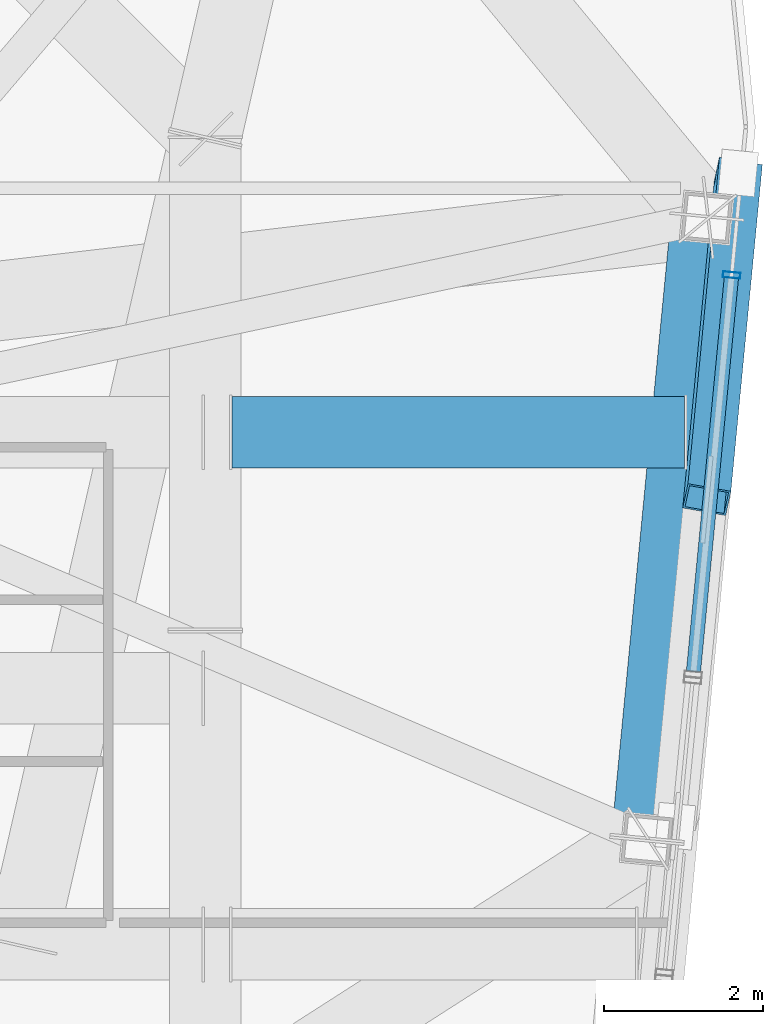
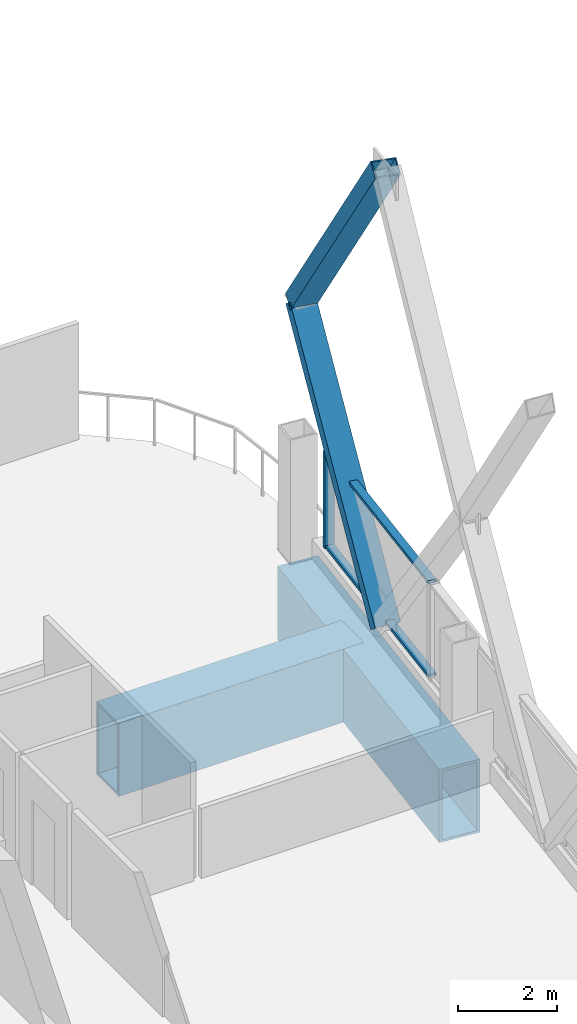
# One storey, part 18 of 31: 5 members, 2 beams, 1 element without a shape of its own.
"""IFC4 building model written with IfcOpenShell, lengths in metres."""

from ifc_helpers import new_model, si_unit, direction, frame, origin, origin_2d, place, context, subcontext, project, spatial, hollow_rectangle, extrude, material, layer, layer_set, material_profile, profile_set, type_object, element, aggregate, save


model = new_model("IFC4")

# Units and contexts
model_context = context("Model", 3, precision=1e-05, world=origin(), true_north=direction((0.0, 1.0)))
body_context = subcontext(model_context, "Body", "Model", "MODEL_VIEW")
ifc_project = project(units=[si_unit("LENGTHUNIT", "METRE"), si_unit("AREAUNIT", "SQUARE_METRE"), si_unit("VOLUMEUNIT", "CUBIC_METRE"), si_unit("PLANEANGLEUNIT", "RADIAN"), si_unit("MASSUNIT", "GRAM", prefix="KILO")], contexts=[model_context])

# Site, building, storey
site_placement = place(None, origin())
site = spatial("IfcSite", under=ifc_project, at=site_placement, CompositionType="ELEMENT")
building_placement = place(site_placement, origin())
building = spatial("IfcBuilding", under=site, at=building_placement, Name="Qhalaya Broadcast Tower", CompositionType="ELEMENT")
storey_placement = place(building_placement, frame((0.0, 0.0, 242.85009765625)))
storey = spatial("IfcBuildingStorey", under=building, at=storey_placement, Name="L71", CompositionType="ELEMENT", Elevation=242.85009765625)

# Beams
ifc_material_1 = material(Name="Structural Steel ASTM A572 Grade 50", Category="steel")
ifc_material_profile_1 = material_profile(ifc_material_1, hollow_rectangle(XDim=0.89990234375, YDim=1.800048828125, WallThickness=0.06005859375, at=origin_2d()), Name="BOX 900x1800x60")
ifc_profile_set_1 = profile_set([ifc_material_profile_1], Name="Structural Steel ASTM A572 Grade 50")
beam_type = type_object("IfcBeamType", Name="Block Cantilever Transfer Box Girder TG1", PredefinedType="USERDEFINED", material=ifc_profile_set_1)
beam_1_placement = place(storey_placement, frame((21.33642578125, -1.302001953125, -1.090087890625), z_axis=(0.095837184179, 0.995397023367, 0.0), x_axis=(-0.995397023367, 0.095837184179, 0.0)))
element("IfcBeam", 1, at=beam_1_placement, inside=storey, type_object=beam_type, Name="L71 TG1 L71-SPR-07", ObjectType="GIRDER", PredefinedType="USERDEFINED", context=body_context, shape_type="SweptSolid", body=[
    extrude(hollow_rectangle(XDim=0.89990234375, YDim=1.800048828125, WallThickness=0.06005859375, at=origin_2d()), origin(), (0.0, 0.0, 1.0), 7.866455078125),
])
beam_2_placement = place(storey_placement, frame((16.110107421875, 3.824951171875, -1.090087890625), z_axis=(1.0, 0.0, 0.0), x_axis=(0.0, 1.0, 0.0)))
element("IfcBeam", 2, at=beam_2_placement, inside=storey, type_object=beam_type, Name="L71 TG1 L71-PGYE3-OV1", ObjectType="GIRDER", PredefinedType="USERDEFINED", context=body_context, shape_type="SweptSolid", body=[
    extrude(hollow_rectangle(XDim=0.89990234375, YDim=1.800048828125, WallThickness=0.06005859375, at=origin_2d()), origin(), (0.0, 0.0, 1.0), 5.699951171875),
])

# Members
ifc_material_profile_2 = material_profile(ifc_material_1, hollow_rectangle(XDim=0.3798828125, YDim=0.550048828125, WallThickness=0.02490234375, at=origin_2d()), Name="BOX 380x550x25")
ifc_profile_set_2 = profile_set([ifc_material_profile_2], Name="Structural Steel ASTM A572 Grade 50")
member_type_1 = type_object("IfcMemberType", Name="Exoskeleton Diamond Diagonal Upper EX4", PredefinedType="BRACE", material=ifc_profile_set_2)
member_1_placement = place(storey_placement, frame((22.090087890625, 2.978759765625, 0.35986328125), z_axis=(0.058301925892, 0.605362942159, 0.793811434597), x_axis=(-0.171153078973, -0.777329359739, 0.60536409709)))
element("IfcMember", 3, at=member_1_placement, inside=storey, type_object=member_type_1, Name="B6 Exoskeleton Diamond Brace E3-D2", PredefinedType="BRACE", context=body_context, shape_type="SweptSolid", body=[
    extrude(hollow_rectangle(XDim=0.3798828125, YDim=0.550048828125, WallThickness=0.02490234375, at=origin_2d()), origin(), (0.0, 0.0, 1.0), 6.79638671875),
])
member_2_placement = place(storey_placement, frame((22.486328125, 7.093017578125, 5.7548828125), z_axis=(-0.055161336321, -0.572753444041, 0.817869622443), x_axis=(0.17344881055, 0.801166493771, 0.572754536758)))
element("IfcMember", 4, at=member_2_placement, inside=storey, type_object=member_type_1, Name="B6 Exoskeleton Diamond Brace E3-D4", PredefinedType="BRACE", context=body_context, shape_type="SweptSolid", body=[
    extrude(hollow_rectangle(XDim=0.3798828125, YDim=0.550048828125, WallThickness=0.02490234375, at=origin_2d()), origin(), (0.0, 0.0, 1.0), 7.183349609375),
])

# Curtain wall, members
ifc_material_2 = material(Name="Fired Architectural Terracotta", Category="masonry")
ifc_layer = layer(ifc_material_2, 0.219970703125, Name="Fired Architectural Terracotta")
ifc_layer_set = layer_set([ifc_layer], Name="Fired Architectural Terracotta")
curtain_wall_type = type_object("IfcCurtainWallType", Name="Block-Cap Unitised Terracotta Spandrel Wall CW-07", PredefinedType="NOTDEFINED", material=ifc_layer_set)
curtain_wall_placement = place(storey_placement, origin())
curtain_wall = element("IfcCurtainWall", 5, at=curtain_wall_placement, inside=storey, type_object=curtain_wall_type, Name="L71 Unitised Curtain Wall L71-CW-E5", PredefinedType="NOTDEFINED")
ifc_material_3 = material(Name="Anodised Aluminium 6063-T6", Category="aluminium")
ifc_material_profile_3 = material_profile(ifc_material_3, hollow_rectangle(XDim=0.074951171875, YDim=0.219970703125, WallThickness=0.00390625, at=origin_2d()), Name="ALU-MUL 75x220x4")
ifc_profile_set_3 = profile_set([ifc_material_profile_3], Name="Anodised Aluminium 6063-T6")
member_type_2 = type_object("IfcMemberType", Name="Unitised Curtain-Wall Mullion M01", PredefinedType="MULLION", material=ifc_profile_set_3)
member_3_placement = place(storey_placement, frame((22.40283203125, 5.8076171875, 0.47998046875), z_axis=(0.0, 0.0, 1.0), x_axis=(0.095847607498, 0.995396019751, 0.0)))
member_3 = element("IfcMember", 6, at=member_3_placement, type_object=member_type_2, Name="CW-07 mullion 2", PredefinedType="MULLION", context=body_context, shape_type="SweptSolid", body=[
    extrude(hollow_rectangle(XDim=0.074951171875, YDim=0.219970703125, WallThickness=0.00390625, at=origin_2d()), origin(), (0.0, 0.0, 1.0), 2.3798828125),
])
ifc_material_profile_4 = material_profile(ifc_material_3, hollow_rectangle(XDim=0.074951171875, YDim=0.179931640625, WallThickness=0.00390625, at=origin_2d()), Name="ALU-TRN 75x180x4")
ifc_profile_set_4 = profile_set([ifc_material_profile_4], Name="Anodised Aluminium 6063-T6")
member_type_3 = type_object("IfcMemberType", Name="Unitised Curtain-Wall Transom T01", PredefinedType="USERDEFINED", material=ifc_profile_set_4)
member_4_placement = place(storey_placement, frame((21.921875, 0.813232421875, 0.517333984375), z_axis=(0.095843186117, 0.99539644548, 0.0), x_axis=(0.0, 0.0, 1.0)))
member_4 = element("IfcMember", 7, at=member_4_placement, type_object=member_type_3, Name="CW-07 transom 1.1", ObjectType="TRANSOM", PredefinedType="USERDEFINED", context=body_context, shape_type="SweptSolid", body=[
    extrude(hollow_rectangle(XDim=0.074951171875, YDim=0.179931640625, WallThickness=0.00390625, at=origin_2d()), origin(), (0.0, 0.0, 1.0), 4.97998046875),
])
member_5_placement = place(storey_placement, frame((21.921875, 0.813232421875, 2.822509765625), z_axis=(0.095843186117, 0.99539644548, 0.0), x_axis=(0.0, 0.0, 1.0)))
member_5 = element("IfcMember", 8, at=member_5_placement, type_object=member_type_3, Name="CW-07 transom 1.2", ObjectType="TRANSOM", PredefinedType="USERDEFINED", context=body_context, shape_type="SweptSolid", body=[
    extrude(hollow_rectangle(XDim=0.074951171875, YDim=0.179931640625, WallThickness=0.00390625, at=origin_2d()), origin(), (0.0, 0.0, 1.0), 4.97998046875),
])
aggregate(curtain_wall, [member_3, member_4, member_5])

save(model, "model.ifc")
